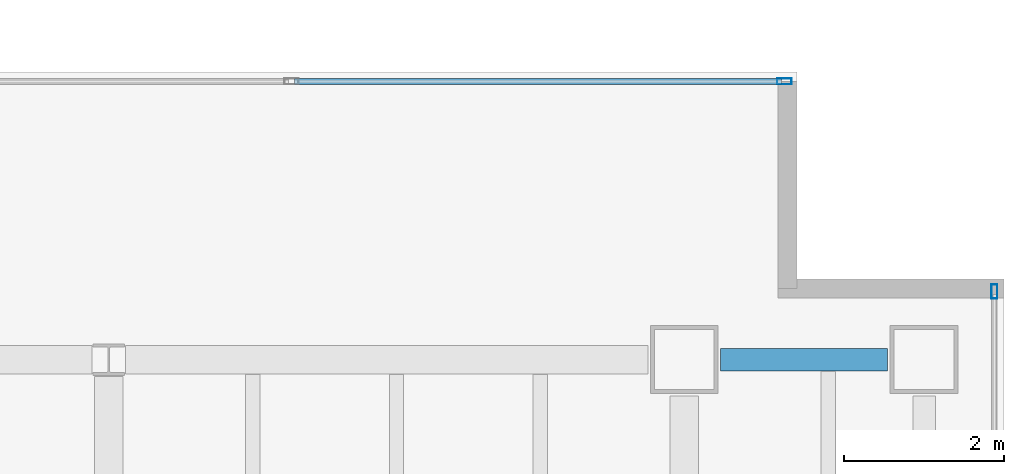
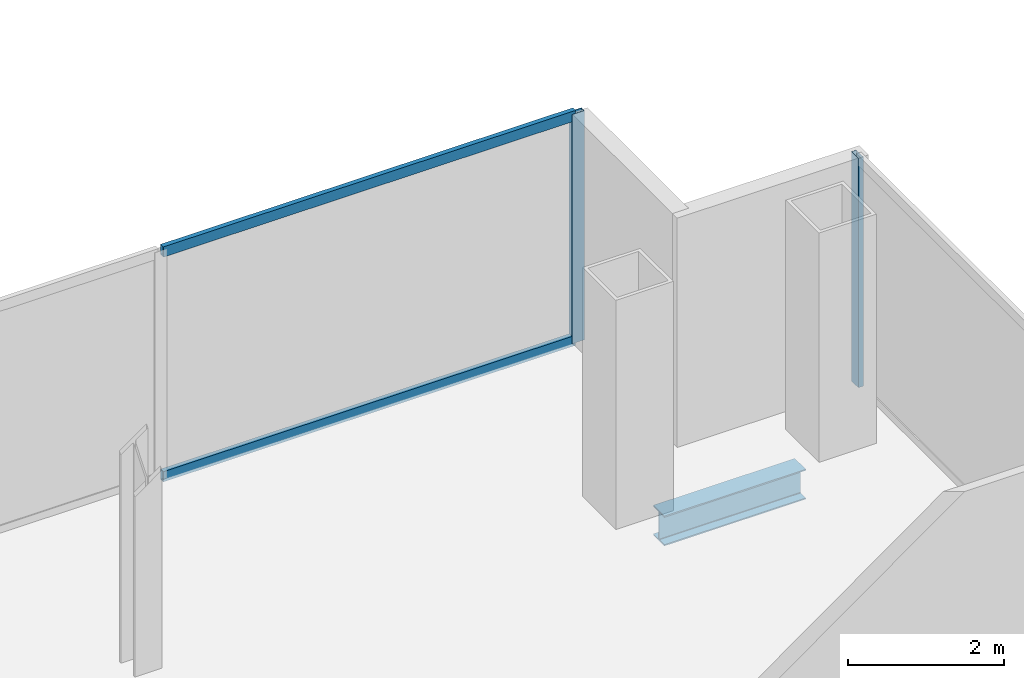
# One storey, part 15 of 23: 4 members, 1 beam, 2 elements without a shape of their own.
"""IFC4 building model written with IfcOpenShell, lengths in metres."""

from ifc_helpers import new_model, si_unit, direction, frame, origin, origin_2d, place, context, subcontext, project, spatial, hollow_rectangle, i_section, extrude, material, material_profile, profile_set, type_object, element, aggregate, save


model = new_model("IFC4")

# Units and contexts
model_context = context("Model", 3, precision=1e-05, world=origin(), true_north=direction((0.0, 1.0)))
body_context = subcontext(model_context, "Body", "Model", "MODEL_VIEW")
ifc_project = project(units=[si_unit("LENGTHUNIT", "METRE"), si_unit("AREAUNIT", "SQUARE_METRE"), si_unit("VOLUMEUNIT", "CUBIC_METRE"), si_unit("PLANEANGLEUNIT", "RADIAN"), si_unit("MASSUNIT", "GRAM", prefix="KILO")], contexts=[model_context])

# Site, building, storey
site_placement = place(None, origin())
site = spatial("IfcSite", under=ifc_project, at=site_placement, CompositionType="ELEMENT")
building_placement = place(site_placement, origin())
building = spatial("IfcBuilding", under=site, at=building_placement, Name="Cobrela Telecom Tower", CompositionType="ELEMENT")
storey_placement = place(building_placement, frame((0.0, 0.0, 148.39990234375)))
storey = spatial("IfcBuildingStorey", under=building, at=storey_placement, Name="L37", CompositionType="ELEMENT", Elevation=148.39990234375)

# Beam
ifc_material_1 = material(Name="Steel ASTM A992 Grade 50", Category="steel")
ifc_material_profile_1 = material_profile(ifc_material_1, i_section(OverallWidth=0.281982421875, OverallDepth=0.467041015625, WebThickness=0.01220703125, FlangeThickness=0.01953125, FilletRadius=0.012939453125, at=origin_2d()), Name="W18X86")
ifc_profile_set_1 = profile_set([ifc_material_profile_1], Name="Steel ASTM A992 Grade 50")
beam_type = type_object("IfcBeamType", Name="BM-SPAND-04", PredefinedType="SPANDREL", material=ifc_profile_set_1)
beam_placement = place(storey_placement, frame((43.655029296875, 21.60009765625, -0.50341796875), z_axis=(1.0, 0.0, 0.0), x_axis=(0.0, 1.0, 0.0)))
element("IfcBeam", 1, at=beam_placement, inside=storey, type_object=beam_type, Name="L37 Perimeter Spandrel X22", PredefinedType="SPANDREL", context=body_context, shape_type="SweptSolid", body=[
    extrude(i_section(OverallWidth=0.281982421875, OverallDepth=0.467041015625, WebThickness=0.01220703125, FlangeThickness=0.01953125, FilletRadius=0.012939453125, at=origin_2d()), origin(), (0.0, 0.0, 1.0), 2.090087890625),
])

# Curtain wall, member
ifc_material_2 = material(Name="Anodized Bronze Aluminium 6063-T6", Category="aluminium")
curtain_wall_type = type_object("IfcCurtainWallType", Name="CW-SYS-TEL", PredefinedType="USERDEFINED", material=ifc_material_2)
curtain_wall_1_placement = place(storey_placement, origin())
curtain_wall_1 = element("IfcCurtainWall", 2, at=curtain_wall_1_placement, inside=storey, type_object=curtain_wall_type, Name="L37 Unitised Bronze Curtain Wall 11", ObjectType="UNITISED CURTAIN WALL", PredefinedType="USERDEFINED")
ifc_material_profile_2 = material_profile(ifc_material_2, hollow_rectangle(XDim=0.074951171875, YDim=0.179931640625, WallThickness=0.00390625, at=origin_2d()), Name="ALU 75x180x4")
ifc_profile_set_2 = profile_set([ifc_material_profile_2], Name="Anodized Bronze Aluminium 6063-T6")
member_type_1 = type_object("IfcMemberType", Name="CW-SYS-TEL-MUL", PredefinedType="MULLION", material=ifc_profile_set_2)
member_1_placement = place(storey_placement, frame((44.452392578125, 25.080078125, 0.0), z_axis=(0.0, 0.0, 1.0), x_axis=(0.0, 1.0, 0.0)))
member_1 = element("IfcMember", 3, at=member_1_placement, type_object=member_type_1, Name="CW-TEL mullion 4", PredefinedType="MULLION", context=body_context, shape_type="SweptSolid", body=[
    extrude(hollow_rectangle(XDim=0.074951171875, YDim=0.179931640625, WallThickness=0.00390625, at=origin_2d()), origin(), (0.0, 0.0, 1.0), 3.580078125),
])

curtain_wall_2_placement = place(storey_placement, origin())
curtain_wall_2 = element("IfcCurtainWall", 4, at=curtain_wall_2_placement, inside=storey, type_object=curtain_wall_type, Name="L37 Unitised Bronze Curtain Wall 14", ObjectType="UNITISED CURTAIN WALL", PredefinedType="USERDEFINED")
member_2_placement = place(storey_placement, frame((47.080078125, 22.452392578125, 0.0), z_axis=(0.0, 0.0, 1.0), x_axis=(1.0, 0.0, 0.0)))
member_2 = element("IfcMember", 5, at=member_2_placement, type_object=member_type_1, Name="CW-TEL mullion 1", PredefinedType="MULLION", context=body_context, shape_type="SweptSolid", body=[
    extrude(hollow_rectangle(XDim=0.074951171875, YDim=0.179931640625, WallThickness=0.00390625, at=origin_2d()), origin(), (0.0, 0.0, 1.0), 3.580078125),
])
aggregate(curtain_wall_2, [member_2])

# Member
ifc_material_profile_3 = material_profile(ifc_material_2, hollow_rectangle(XDim=0.070068359375, YDim=0.159912109375, WallThickness=0.00390625, at=origin_2d()), Name="ALU 70x160x4")
ifc_profile_set_3 = profile_set([ifc_material_profile_3], Name="Anodized Bronze Aluminium 6063-T6")
member_type_2 = type_object("IfcMemberType", Name="CW-SYS-TEL-TRN", PredefinedType="USERDEFINED", material=ifc_profile_set_3)
member_3_placement = place(storey_placement, frame((38.32421875, 25.080078125, 0.03515625), z_axis=(1.0, 0.0, 0.0), x_axis=(0.0, 1.0, 0.0)))
member_3 = element("IfcMember", 6, at=member_3_placement, type_object=member_type_2, Name="CW-TEL transom 3.1", ObjectType="TRANSOM", PredefinedType="USERDEFINED", context=body_context, shape_type="SweptSolid", body=[
    extrude(hollow_rectangle(XDim=0.070068359375, YDim=0.159912109375, WallThickness=0.00390625, at=origin_2d()), origin(), (0.0, 0.0, 1.0), 6.0908203125),
])

member_4_placement = place(storey_placement, frame((38.32421875, 25.080078125, 3.545166015625), z_axis=(1.0, 0.0, 0.0), x_axis=(0.0, 1.0, 0.0)))
member_4 = element("IfcMember", 7, at=member_4_placement, type_object=member_type_2, Name="CW-TEL transom 3.2", ObjectType="TRANSOM", PredefinedType="USERDEFINED", context=body_context, shape_type="SweptSolid", body=[
    extrude(hollow_rectangle(XDim=0.070068359375, YDim=0.159912109375, WallThickness=0.00390625, at=origin_2d()), origin(), (0.0, 0.0, 1.0), 6.0908203125),
])

aggregate(curtain_wall_1, [member_1, member_3, member_4])

save(model, "model.ifc")
